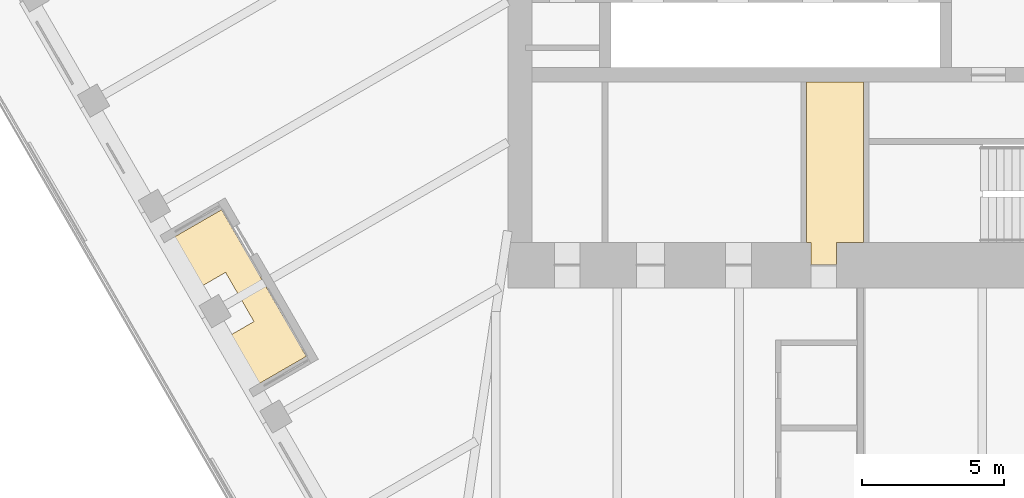
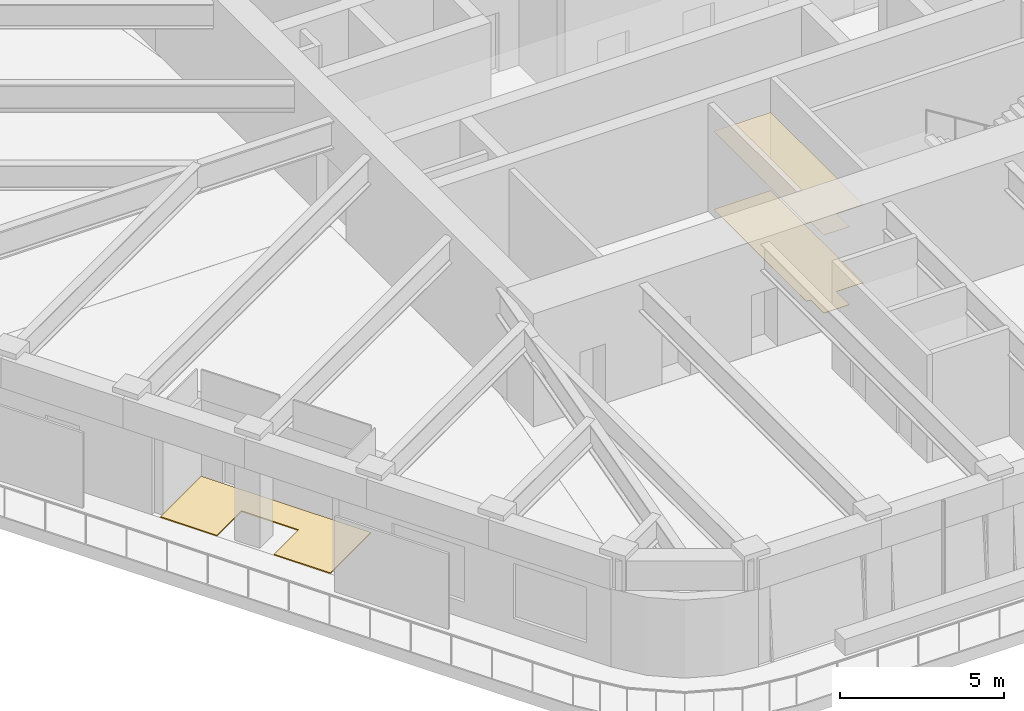
# One storey, part 17 of 19: 3 coverings.
"""IFC4 building model written with IfcOpenShell, lengths in metres."""

from ifc_helpers import new_model, si_unit, direction, frame, origin, place, context, subcontext, project, spatial, polyline, outline, extrude, material, layer, layer_set, type_object, element, save


model = new_model("IFC4")

# Units and contexts
model_context = context("Model", 3, precision=1e-05, world=origin(), true_north=direction((0.0, 1.0)))
body_context = subcontext(model_context, "Body", "Model", "MODEL_VIEW")
ifc_project = project(units=[si_unit("LENGTHUNIT", "METRE"), si_unit("AREAUNIT", "SQUARE_METRE"), si_unit("VOLUMEUNIT", "CUBIC_METRE"), si_unit("PLANEANGLEUNIT", "RADIAN"), si_unit("MASSUNIT", "GRAM", prefix="KILO")], contexts=[model_context])

# Site, building, storey
site_placement = place(None, origin())
site = spatial("IfcSite", under=ifc_project, at=site_placement, CompositionType="ELEMENT")
building_placement = place(site_placement, origin())
building = spatial("IfcBuilding", under=site, at=building_placement, Name="Tarfa Lantern Tower", CompositionType="ELEMENT")
storey_placement = place(building_placement, frame((0.0, 0.0, 366.10009765625)))
storey = spatial("IfcBuildingStorey", under=building, at=storey_placement, Name="L83", CompositionType="ELEMENT", Elevation=366.10009765625)

# Coverings
ifc_material_1 = material(Name="Moisture-resistant plasterboard", Category="finish")
ifc_layer_1 = layer(ifc_material_1, 0.014892578125)
ifc_layer_set_1 = layer_set([ifc_layer_1], Name="CL2 MOISTURE-RESISTANT PLASTERBOARD CEILING 15")
covering_type_1 = type_object("IfcCoveringType", Name="CL2 MOISTURE-RESISTANT PLASTERBOARD CEILING 15", PredefinedType="CEILING", material=ifc_layer_set_1)
covering_1_placement = place(storey_placement, frame((0.0, 0.0, 2.89990234375)))
element("IfcCovering", 1, at=covering_1_placement, inside=storey, type_object=covering_type_1, Name="Ceiling L83-13", PredefinedType="CEILING", context=body_context, shape_type="SweptSolid", body=[
    extrude(outline(polyline([(-0.85009765625, -10.699951171875), (0.10009765625, -10.699951171875), (0.10009765625, -5.050048828125), (-1.89990234375, -5.050048828125), (-1.89990234375, -10.699951171875), (-1.75, -10.699951171875), (-1.75, -11.5), (-1.75, -11.5), (-0.85009765625, -11.5), (-0.85009765625, -10.699951171875)])), origin(), (0.0, 0.0, 1.0), 0.014892578125),
])
ifc_material_2 = material(Name="Porcelain floor tile", Category="finish")
ifc_layer_2 = layer(ifc_material_2, 0.011962890625)
ifc_layer_set_2 = layer_set([ifc_layer_2], Name="FL3 CERAMIC TILE 12")
covering_type_2 = type_object("IfcCoveringType", Name="FL3 CERAMIC TILE 12", PredefinedType="FLOORING", material=ifc_layer_set_2)
covering_2_placement = place(storey_placement, origin())
element("IfcCovering", 2, at=covering_2_placement, inside=storey, type_object=covering_type_2, Name="Floor finish L83-13", PredefinedType="FLOORING", context=body_context, shape_type="SweptSolid", body=[
    extrude(outline(polyline([(-0.85009765625, -10.699951171875), (0.10009765625, -10.699951171875), (0.10009765625, -5.050048828125), (-1.89990234375, -5.050048828125), (-1.89990234375, -10.699951171875), (-1.75, -10.699951171875), (-1.75, -11.5), (-1.75, -11.5), (-0.85009765625, -11.5), (-0.85009765625, -10.699951171875)])), origin(), (0.0, 0.0, 1.0), 0.011962890625),
])
ifc_material_3 = material(Name="Porcelain pavers on pedestals", Category="ceramic")
ifc_layer_3 = layer(ifc_material_3, 0.0400390625)
ifc_layer_set_3 = layer_set([ifc_layer_3], Name="LP1 LOGGIA PAVING 40")
covering_type_3 = type_object("IfcCoveringType", Name="LP1 LOGGIA PAVING 40", PredefinedType="FLOORING", material=ifc_layer_set_3)
covering_3_placement = place(storey_placement, origin())
element("IfcCovering", 3, at=covering_3_placement, inside=storey, type_object=covering_type_3, Name="Terrace paving SW", PredefinedType="FLOORING", context=body_context, shape_type="SweptSolid", body=[
    extrude(outline(polyline([(-24.6572265625, -10.79248046875), (-22.509521484375, -9.552490234375), (-19.52734375, -14.717529296875), (-21.67529296875, -15.95751953125), (-22.666259765625, -14.240966796875), (-21.3671875, -13.490966796875), (-22.3671875, -11.759033203125), (-23.666259765625, -12.509033203125), (-24.6572265625, -10.79248046875)])), origin(), (0.0, 0.0, 1.0), 0.039794921875),
])

save(model, "model.ifc")
